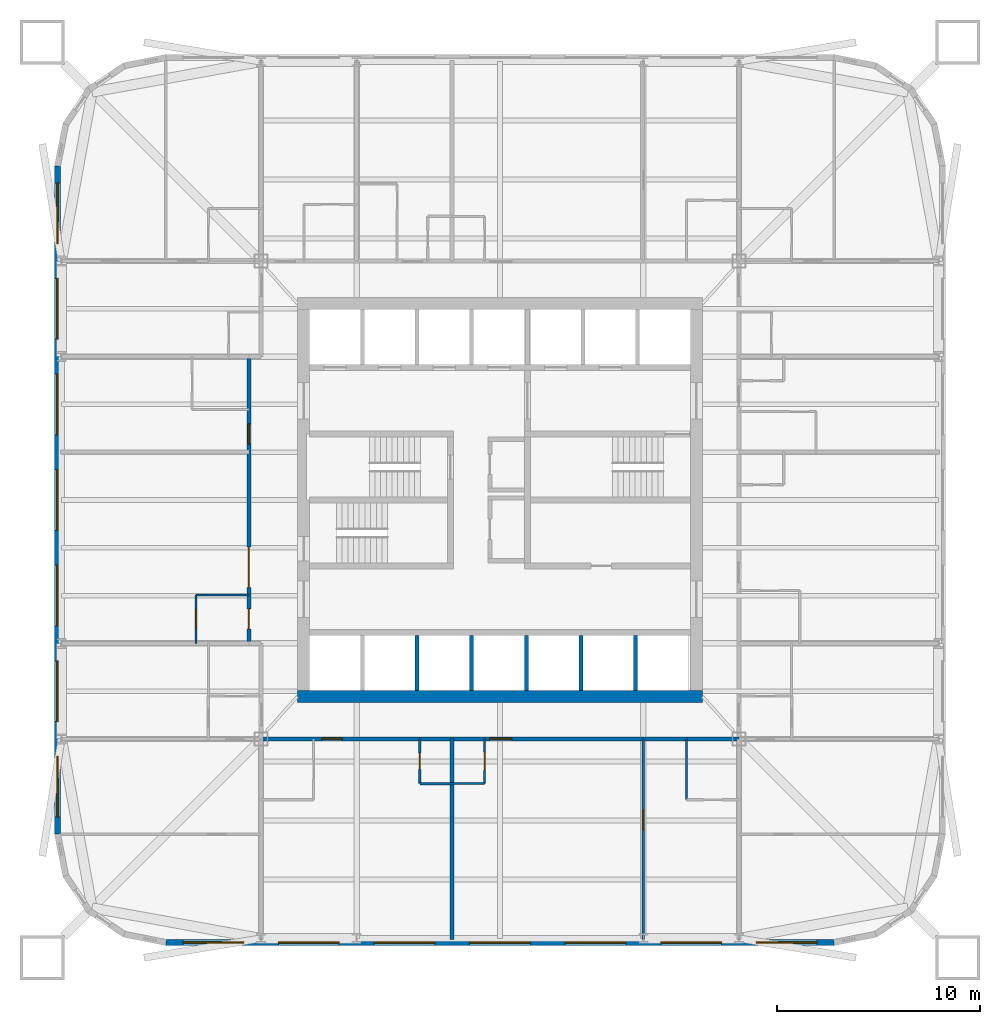
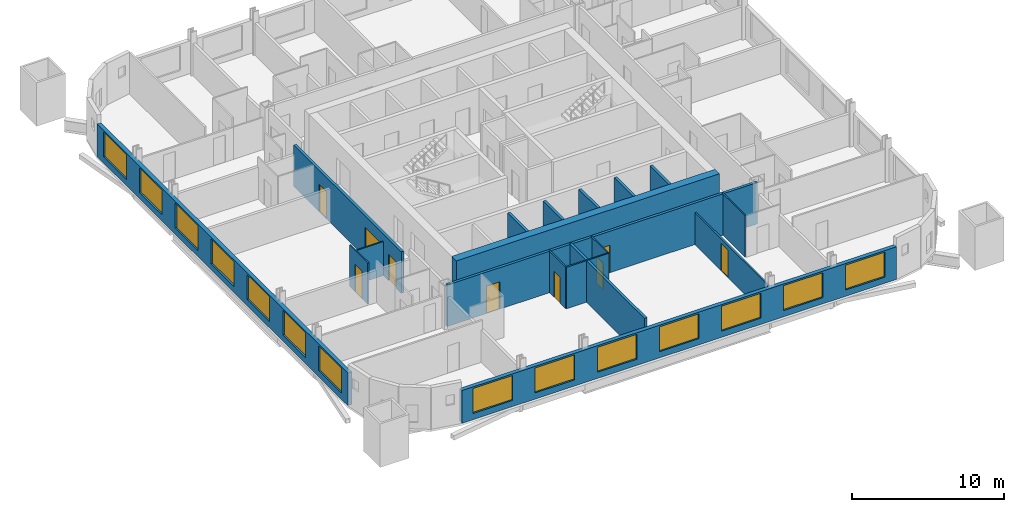
# One storey, part 3 of 9: 19 walls, 14 windows, 9 doors, 23 openings.
"""IFC4 building model written with IfcOpenShell, lengths in metres."""

from ifc_helpers import new_model, si_unit, direction, frame, frame_2d, origin, place, context, subcontext, project, spatial, rectangle, extrude, material, layer, layer_set, type_object, element, fill, save


model = new_model("IFC4")

# Units and contexts
model_context = context("Model", 3, precision=1e-05, world=origin(), true_north=direction((0.0, 1.0)))
body_context = subcontext(model_context, "Body", "Model", "MODEL_VIEW")
ifc_project = project(units=[si_unit("LENGTHUNIT", "METRE"), si_unit("AREAUNIT", "SQUARE_METRE"), si_unit("VOLUMEUNIT", "CUBIC_METRE"), si_unit("PLANEANGLEUNIT", "RADIAN"), si_unit("MASSUNIT", "GRAM", prefix="KILO")], contexts=[model_context])

# Site, building, storey
site_placement = place(None, origin())
site = spatial("IfcSite", under=ifc_project, at=site_placement, CompositionType="ELEMENT")
building_placement = place(site_placement, origin())
building = spatial("IfcBuilding", under=site, at=building_placement, Name="Turquesa Mirador Hotel Tower", CompositionType="ELEMENT")
storey_placement = place(building_placement, frame((0.0, 0.0, 81.0)))
storey = spatial("IfcBuildingStorey", under=building, at=storey_placement, Name="L21", CompositionType="ELEMENT", Elevation=81.0)

# Walls
ifc_material_1 = material(Name="Gypsum board on steel studs", Category="steel")
ifc_layer_1 = layer(ifc_material_1, 0.10009765625)
ifc_layer_set_1 = layer_set([ifc_layer_1], Name="BATHROOM WALL 100")
wall_type_1 = type_object("IfcWallType", Name="BATHROOM WALL 100", PredefinedType="PARTITIONING", material=ifc_layer_set_1)
wall_1_placement = place(storey_placement, frame((52.639892578125, 31.0, 0.0), z_axis=(0.0, 0.0, 1.0), x_axis=(1.0, 0.0, 0.0)))
element("IfcWall", 1, at=wall_1_placement, inside=storey, type_object=wall_type_1, Name="Partition L21 004", PredefinedType="PARTITIONING", context=body_context, shape_type="SweptSolid", body=[
    extrude(rectangle(XDim=1.60009765625, YDim=0.10009765625, at=frame_2d((0.800048828125, 0.0))), origin(), (0.0, 0.0, 1.0), 3.330078125),
])
wall_2_placement = place(storey_placement, frame((40.0, 40.320068359375, 0.0), z_axis=(0.0, 0.0, 1.0), x_axis=(1.0, 0.0, 0.0)))
element("IfcWall", 2, at=wall_2_placement, inside=storey, type_object=wall_type_1, Name="Partition L21 011", PredefinedType="PARTITIONING", context=body_context, shape_type="SweptSolid", body=[
    extrude(rectangle(XDim=2.60009765625, YDim=0.10009765625, at=frame_2d((1.300048828125, 0.0))), origin(), (0.0, 0.0, 1.0), 2.722900390625),
])

# Wall, opening, door
wall_3_placement = place(storey_placement, frame((54.239990234375, 31.0, 0.0), z_axis=(0.0, 0.0, 1.0), x_axis=(0.0, 1.0, 0.0)))
wall_3 = element("IfcWall", 3, at=wall_3_placement, inside=storey, type_object=wall_type_1, Name="Partition L21 040", PredefinedType="PARTITIONING", context=body_context, shape_type="SweptSolid", body=[
    extrude(rectangle(XDim=2.199951171875, YDim=0.10009765625, at=frame_2d((1.10009765625, 0.0))), origin(), (0.0, 0.0, 1.0), 3.330078125),
])
opening_1_placement = place(wall_3_placement, frame((0.64990234375, 0.0, 0.0)))
opening_1 = element("IfcOpeningElement", 4, at=opening_1_placement, cuts=wall_3, Name="Opening D06", PredefinedType="OPENING", context=body_context, shape_type="SweptSolid", body=[
    extrude(rectangle(XDim=0.89990234375, YDim=2.10009765625, at=frame_2d((0.449951171875, 1.050048828125))), frame((0.0, 0.06005859375, 0.0), z_axis=(0.0, -1.0, 0.0), x_axis=(1.0, 0.0, 0.0)), (0.0, 0.0, 1.0), 0.1201171875),
])
ifc_material_2 = material(Name="Laminate door", Category="wood")
door_type_1 = type_object("IfcDoorType", Name="DOOR 900X2100 WC", OperationType="SINGLE_SWING_LEFT", PredefinedType="DOOR", material=ifc_material_2)
door_1_placement = place(opening_1_placement, origin())
door_1 = element("IfcDoor", 5, at=door_1_placement, inside=storey, type_object=door_type_1, Name="Door 2105W", OperationType="SINGLE_SWING_LEFT", OverallHeight=2.10009765625, OverallWidth=0.89990234375, PredefinedType="DOOR", context=body_context, shape_type="SweptSolid", body=[
    extrude(rectangle(XDim=0.89990234375, YDim=2.10009765625, at=frame_2d((0.449951171875, 1.050048828125))), frame((0.0, 0.02490234375, 0.0), z_axis=(0.0, -1.0, 0.0), x_axis=(1.0, 0.0, 0.0)), (0.0, 0.0, 1.0), 0.050048828125),
])
fill(opening_1, door_1)

wall_4_placement = place(storey_placement, frame((40.0, 37.919921875, 0.0), z_axis=(0.0, 0.0, 1.0), x_axis=(0.0, 1.0, 0.0)))
wall_4 = element("IfcWall", 6, at=wall_4_placement, inside=storey, type_object=wall_type_1, Name="Partition L21 051", PredefinedType="PARTITIONING", context=body_context, shape_type="SweptSolid", body=[
    extrude(rectangle(XDim=2.400146484375, YDim=0.10009765625, at=frame_2d((1.2001953125, 0.0))), origin(), (0.0, 0.0, 1.0), 3.330078125),
])
opening_2_placement = place(wall_4_placement, frame((0.75, 0.0, 0.0)))
opening_2 = element("IfcOpeningElement", 7, at=opening_2_placement, cuts=wall_4, Name="Opening D17", PredefinedType="OPENING", context=body_context, shape_type="SweptSolid", body=[
    extrude(rectangle(XDim=0.89990234375, YDim=2.199951171875, at=frame_2d((0.449951171875, 1.10009765625))), frame((0.0, 0.06005859375, 0.0), z_axis=(0.0, -1.0, 0.0), x_axis=(1.0, 0.0, 0.0)), (0.0, 0.0, 1.0), 0.1201171875),
])
ifc_material_3 = material(Name="Timber veneered door", Category="wood")
door_type_2 = type_object("IfcDoorType", Name="DOOR 900X2200 SUITE INTERNAL", OperationType="SINGLE_SWING_LEFT", PredefinedType="DOOR", material=ifc_material_3)
door_2_placement = place(opening_2_placement, origin())
door_2 = element("IfcDoor", 8, at=door_2_placement, inside=storey, type_object=door_type_2, Name="Door L21-LGP", OperationType="SINGLE_SWING_LEFT", OverallHeight=2.199951171875, OverallWidth=0.89990234375, PredefinedType="DOOR", context=body_context, shape_type="SweptSolid", body=[
    extrude(rectangle(XDim=0.89990234375, YDim=2.199951171875, at=frame_2d((0.449951171875, 1.10009765625))), frame((0.0, 0.02490234375, 0.0), z_axis=(0.0, -1.0, 0.0), x_axis=(1.0, 0.0, 0.0)), (0.0, 0.0, 1.0), 0.050048828125),
])
fill(opening_2, door_2)

# Walls
wall_5_placement = place(storey_placement, frame((64.199951171875, 30.199951171875, 0.0), z_axis=(0.0, 0.0, 1.0), x_axis=(0.0, 1.0, 0.0)))
element("IfcWall", 9, at=wall_5_placement, inside=storey, type_object=wall_type_1, Name="Partition L21 076", PredefinedType="PARTITIONING", context=body_context, shape_type="SweptSolid", body=[
    extrude(rectangle(XDim=3.0, YDim=0.10009765625, at=frame_2d((1.5, 0.0))), origin(), (0.0, 0.0, 1.0), 3.330078125),
])
ifc_material_4 = material(Name="Concrete C50/60", Category="concrete")
ifc_layer_2 = layer(ifc_material_4, 0.60009765625)
ifc_layer_set_2 = layer_set([ifc_layer_2], Name="CORE WALL 600")
wall_type_2 = type_object("IfcWallType", Name="CORE WALL 600", PredefinedType="SHEAR", material=ifc_layer_set_2)
wall_6_placement = place(storey_placement, frame((45.0, 35.300048828125, 0.0), z_axis=(0.0, 0.0, 1.0), x_axis=(1.0, 0.0, 0.0)))
element("IfcWall", 10, at=wall_6_placement, inside=storey, type_object=wall_type_2, Name="Core wall S", PredefinedType="SHEAR", context=body_context, shape_type="SweptSolid", body=[
    extrude(rectangle(XDim=20.0, YDim=0.60009765625, at=frame_2d((10.0, 0.0))), origin(), (0.0, 0.0, 1.0), 3.5),
])

# Wall, openings, doors
ifc_material_5 = material(Name="Fire-rated gypsum board on steel studs", Category="steel")
ifc_layer_3 = layer(ifc_material_5, 0.199951171875)
ifc_layer_set_3 = layer_set([ifc_layer_3], Name="CORRIDOR WALL 200")
wall_type_3 = type_object("IfcWallType", Name="CORRIDOR WALL 200", PredefinedType="PARTITIONING", material=ifc_layer_set_3)
wall_7_placement = place(storey_placement, frame((43.199951171875, 33.199951171875, 0.0), z_axis=(0.0, 0.0, 1.0), x_axis=(1.0, 0.0, 0.0)))
wall_7 = element("IfcWall", 11, at=wall_7_placement, inside=storey, type_object=wall_type_3, Name="Partition L21 001", PredefinedType="PARTITIONING", context=body_context, shape_type="SweptSolid", body=[
    extrude(rectangle(XDim=23.60009765625, YDim=0.199951171875, at=frame_2d((11.800048828125, 0.0))), origin(), (0.0, 0.0, 1.0), 3.330078125),
])
opening_3_placement = place(wall_7_placement, frame((3.0, 0.0, 0.0)))
opening_3 = element("IfcOpeningElement", 12, at=opening_3_placement, cuts=wall_7, Name="Opening D01", PredefinedType="OPENING", context=body_context, shape_type="SweptSolid", body=[
    extrude(rectangle(XDim=1.0, YDim=2.199951171875, at=frame_2d((0.5, 1.10009765625))), frame((0.0, 0.10986328125, 0.0), z_axis=(0.0, -1.0, 0.0), x_axis=(1.0, 0.0, 0.0)), (0.0, 0.0, 1.0), 0.219970703125),
])
opening_4_placement = place(wall_7_placement, frame((11.2900390625, 0.0, 0.0)))
opening_4 = element("IfcOpeningElement", 13, at=opening_4_placement, cuts=wall_7, Name="Opening D15", PredefinedType="OPENING", context=body_context, shape_type="SweptSolid", body=[
    extrude(rectangle(XDim=1.10009765625, YDim=2.199951171875, at=frame_2d((0.550048828125, 1.10009765625))), frame((0.0, 0.10986328125, 0.0), z_axis=(0.0, -1.0, 0.0), x_axis=(1.0, 0.0, 0.0)), (0.0, 0.0, 1.0), 0.219970703125),
])
ifc_material_6 = material(Name="Timber veneered fire door", Category="wood")
door_type_3 = type_object("IfcDoorType", Name="DOOR 1000X2200 GUEST ENTRY", OperationType="SINGLE_SWING_LEFT", PredefinedType="DOOR", material=ifc_material_6)
door_3_placement = place(opening_3_placement, origin())
door_3 = element("IfcDoor", 14, at=door_3_placement, inside=storey, type_object=door_type_3, Name="Door 2104", OperationType="SINGLE_SWING_LEFT", OverallHeight=2.199951171875, OverallWidth=1.0, PredefinedType="DOOR", context=body_context, shape_type="SweptSolid", body=[
    extrude(rectangle(XDim=1.0, YDim=2.199951171875, at=frame_2d((0.5, 1.10009765625))), frame((0.0, 0.02490234375, 0.0), z_axis=(0.0, -1.0, 0.0), x_axis=(1.0, 0.0, 0.0)), (0.0, 0.0, 1.0), 0.050048828125),
])
fill(opening_3, door_3)
ifc_material_7 = material(Name="Timber veneered fire door", Category="wood")
door_type_4 = type_object("IfcDoorType", Name="DOOR 1100X2200 SUITE ENTRY", OperationType="SINGLE_SWING_LEFT", PredefinedType="DOOR", material=ifc_material_7)
door_4_placement = place(opening_4_placement, origin())
door_4 = element("IfcDoor", 15, at=door_4_placement, inside=storey, type_object=door_type_4, Name="Door 2105", OperationType="SINGLE_SWING_LEFT", OverallHeight=2.199951171875, OverallWidth=1.10009765625, PredefinedType="DOOR", context=body_context, shape_type="SweptSolid", body=[
    extrude(rectangle(XDim=1.10009765625, YDim=2.199951171875, at=frame_2d((0.550048828125, 1.10009765625))), frame((0.0, 0.02490234375, 0.0), z_axis=(0.0, -1.0, 0.0), x_axis=(1.0, 0.0, 0.0)), (0.0, 0.0, 1.0), 0.050048828125),
])
fill(opening_4, door_4)

wall_8_placement = place(storey_placement, frame((42.60009765625, 37.919921875, 0.0), z_axis=(0.0, 0.0, 1.0), x_axis=(0.0, 1.0, 0.0)))
wall_8 = element("IfcWall", 16, at=wall_8_placement, inside=storey, type_object=wall_type_3, Name="Partition L21 046", PredefinedType="PARTITIONING", context=body_context, shape_type="SweptSolid", body=[
    extrude(rectangle(XDim=14.16015625, YDim=0.199951171875, at=frame_2d((7.080078125, 0.0))), origin(), (0.0, 0.0, 1.0), 3.330078125),
])
opening_5_placement = place(wall_8_placement, frame((9.840087890625, 0.0, 0.0)))
opening_5 = element("IfcOpeningElement", 17, at=opening_5_placement, cuts=wall_8, Name="Opening D01", PredefinedType="OPENING", context=body_context, shape_type="SweptSolid", body=[
    extrude(rectangle(XDim=1.0, YDim=2.199951171875, at=frame_2d((0.5, 1.10009765625))), frame((0.0, 0.10986328125, 0.0), z_axis=(0.0, -1.0, 0.0), x_axis=(1.0, 0.0, 0.0)), (0.0, 0.0, 1.0), 0.219970703125),
])
opening_6_placement = place(wall_8_placement, frame((2.75, 0.0, 0.0)))
opening_6 = element("IfcOpeningElement", 18, at=opening_6_placement, cuts=wall_8, Name="Opening D18", PredefinedType="OPENING", context=body_context, shape_type="SweptSolid", body=[
    extrude(rectangle(XDim=2.0, YDim=2.39990234375, at=frame_2d((1.0, 1.199951171875))), frame((0.0, 0.10986328125, 0.0), z_axis=(0.0, -1.0, 0.0), x_axis=(1.0, 0.0, 0.0)), (0.0, 0.0, 1.0), 0.219970703125),
])
opening_7_placement = place(wall_8_placement, frame((0.699951171875, 0.0, 0.0)))
opening_7 = element("IfcOpeningElement", 19, at=opening_7_placement, cuts=wall_8, Name="Opening D05", PredefinedType="OPENING", context=body_context, shape_type="SweptSolid", body=[
    extrude(rectangle(XDim=1.0, YDim=2.10009765625, at=frame_2d((0.5, 1.050048828125))), frame((0.0, 0.10986328125, 0.0), z_axis=(0.0, -1.0, 0.0), x_axis=(1.0, 0.0, 0.0)), (0.0, 0.0, 1.0), 0.219970703125),
])
ifc_material_8 = material(Name="Steel fire door", Category="steel")
door_type_5 = type_object("IfcDoorType", Name="DOOR 1000X2100 SERVICE", OperationType="SINGLE_SWING_LEFT", PredefinedType="DOOR", material=ifc_material_8)
door_5_placement = place(opening_7_placement, origin())
door_5 = element("IfcDoor", 20, at=door_5_placement, inside=storey, type_object=door_type_5, Name="Door L21-LGP-1", OperationType="SINGLE_SWING_LEFT", OverallHeight=2.10009765625, OverallWidth=1.0, PredefinedType="DOOR", context=body_context, shape_type="SweptSolid", body=[
    extrude(rectangle(XDim=1.0, YDim=2.10009765625, at=frame_2d((0.5, 1.050048828125))), frame((0.0, 0.02490234375, 0.0), z_axis=(0.0, -1.0, 0.0), x_axis=(1.0, 0.0, 0.0)), (0.0, 0.0, 1.0), 0.050048828125),
])
fill(opening_7, door_5)
door_6_placement = place(opening_5_placement, origin())
door_6 = element("IfcDoor", 21, at=door_6_placement, inside=storey, type_object=door_type_3, Name="Door 2108", OperationType="SINGLE_SWING_LEFT", OverallHeight=2.199951171875, OverallWidth=1.0, PredefinedType="DOOR", context=body_context, shape_type="SweptSolid", body=[
    extrude(rectangle(XDim=1.0, YDim=2.199951171875, at=frame_2d((0.5, 1.10009765625))), frame((0.0, 0.02490234375, 0.0), z_axis=(0.0, -1.0, 0.0), x_axis=(1.0, 0.0, 0.0)), (0.0, 0.0, 1.0), 0.050048828125),
])
fill(opening_5, door_6)
ifc_material_9 = material(Name="Timber veneered fire door pair", Category="wood")
door_type_6 = type_object("IfcDoorType", Name="DOOR 2000X2400 LOUNGE PAIR", OperationType="DOUBLE_DOOR_SINGLE_SWING", PredefinedType="DOOR", material=ifc_material_9)
door_7_placement = place(opening_6_placement, origin())
door_7 = element("IfcDoor", 22, at=door_7_placement, inside=storey, type_object=door_type_6, Name="Door L21-LG", OperationType="DOUBLE_DOOR_SINGLE_SWING", OverallHeight=2.39990234375, OverallWidth=2.0, PredefinedType="DOOR", context=body_context, shape_type="SweptSolid", body=[
    extrude(rectangle(XDim=2.0, YDim=2.39990234375, at=frame_2d((1.0, 1.199951171875))), frame((0.0, 0.02490234375, 0.0), z_axis=(0.0, -1.0, 0.0), x_axis=(1.0, 0.0, 0.0)), (0.0, 0.0, 1.0), 0.050048828125),
])
fill(opening_6, door_7)

# Wall, openings, windows
ifc_material_10 = material(Name="Limestone cladding on concrete block", Category="masonry")
ifc_layer_4 = layer(ifc_material_10, 0.300048828125)
ifc_layer_set_4 = layer_set([ifc_layer_4], Name="FACADE WALL 300 STONE SCREEN")
wall_type_4 = type_object("IfcWallType", Name="FACADE WALL 300 STONE SCREEN", PredefinedType="SOLIDWALL", material=ifc_layer_set_4)
wall_9_placement = place(storey_placement, frame((33.14990234375, 61.5, 0.0), z_axis=(0.0, 0.0, 1.0), x_axis=(0.0, -1.0, 0.0)))
wall_9 = element("IfcWall", 23, at=wall_9_placement, inside=storey, type_object=wall_type_4, Name="Facade wall L21 14", PredefinedType="SOLIDWALL", context=body_context, shape_type="SweptSolid", body=[
    extrude(rectangle(XDim=33.0, YDim=0.300048828125, at=frame_2d((16.5, 0.0))), origin(), (0.0, 0.0, 1.0), 2.6298828125),
])
opening_8_placement = place(wall_9_placement, frame((0.85009765625, 0.0, 0.5)))
opening_8 = element("IfcOpeningElement", 24, at=opening_8_placement, cuts=wall_9, Name="Opening WN1", PredefinedType="OPENING", context=body_context, shape_type="SweptSolid", body=[
    extrude(rectangle(XDim=3.0, YDim=2.0, at=frame_2d((1.5, 1.0))), frame((0.0, 0.159912109375, 0.0), z_axis=(0.0, -1.0, 0.0), x_axis=(1.0, 0.0, 0.0)), (0.0, 0.0, 1.0), 0.320068359375),
])
opening_9_placement = place(wall_9_placement, frame((5.56005859375, 0.0, 0.5)))
opening_9 = element("IfcOpeningElement", 25, at=opening_9_placement, cuts=wall_9, Name="Opening WN1", PredefinedType="OPENING", context=body_context, shape_type="SweptSolid", body=[
    extrude(rectangle(XDim=3.0, YDim=2.0, at=frame_2d((1.5, 1.0))), frame((0.0, 0.159912109375, 0.0), z_axis=(0.0, -1.0, 0.0), x_axis=(1.0, 0.0, 0.0)), (0.0, 0.0, 1.0), 0.320068359375),
])
opening_10_placement = place(wall_9_placement, frame((10.280029296875, 0.0, 0.5)))
opening_10 = element("IfcOpeningElement", 26, at=opening_10_placement, cuts=wall_9, Name="Opening WN1", PredefinedType="OPENING", context=body_context, shape_type="SweptSolid", body=[
    extrude(rectangle(XDim=3.0, YDim=2.0, at=frame_2d((1.5, 1.0))), frame((0.0, 0.159912109375, 0.0), z_axis=(0.0, -1.0, 0.0), x_axis=(1.0, 0.0, 0.0)), (0.0, 0.0, 1.0), 0.320068359375),
])
opening_11_placement = place(wall_9_placement, frame((15.0, 0.0, 0.5)))
opening_11 = element("IfcOpeningElement", 27, at=opening_11_placement, cuts=wall_9, Name="Opening WN1", PredefinedType="OPENING", context=body_context, shape_type="SweptSolid", body=[
    extrude(rectangle(XDim=3.0, YDim=2.0, at=frame_2d((1.5, 1.0))), frame((0.0, 0.159912109375, 0.0), z_axis=(0.0, -1.0, 0.0), x_axis=(1.0, 0.0, 0.0)), (0.0, 0.0, 1.0), 0.320068359375),
])
opening_12_placement = place(wall_9_placement, frame((19.719970703125, 0.0, 0.5)))
opening_12 = element("IfcOpeningElement", 28, at=opening_12_placement, cuts=wall_9, Name="Opening WN1", PredefinedType="OPENING", context=body_context, shape_type="SweptSolid", body=[
    extrude(rectangle(XDim=3.0, YDim=2.0, at=frame_2d((1.5, 1.0))), frame((0.0, 0.159912109375, 0.0), z_axis=(0.0, -1.0, 0.0), x_axis=(1.0, 0.0, 0.0)), (0.0, 0.0, 1.0), 0.320068359375),
])
opening_13_placement = place(wall_9_placement, frame((24.43994140625, 0.0, 0.5)))
opening_13 = element("IfcOpeningElement", 29, at=opening_13_placement, cuts=wall_9, Name="Opening WN1", PredefinedType="OPENING", context=body_context, shape_type="SweptSolid", body=[
    extrude(rectangle(XDim=3.0, YDim=2.0, at=frame_2d((1.5, 1.0))), frame((0.0, 0.159912109375, 0.0), z_axis=(0.0, -1.0, 0.0), x_axis=(1.0, 0.0, 0.0)), (0.0, 0.0, 1.0), 0.320068359375),
])
opening_14_placement = place(wall_9_placement, frame((29.14990234375, 0.0, 0.5)))
opening_14 = element("IfcOpeningElement", 30, at=opening_14_placement, cuts=wall_9, Name="Opening WN1", PredefinedType="OPENING", context=body_context, shape_type="SweptSolid", body=[
    extrude(rectangle(XDim=3.0, YDim=2.0, at=frame_2d((1.5, 1.0))), frame((0.0, 0.159912109375, 0.0), z_axis=(0.0, -1.0, 0.0), x_axis=(1.0, 0.0, 0.0)), (0.0, 0.0, 1.0), 0.320068359375),
])
ifc_material_11 = material(Name="Ceramic-fritted laminated glass", Category="glass")
window_type = type_object("IfcWindowType", Name="FRITTED WINDOW 3000X2000", PartitioningType="DOUBLE_PANEL_HORIZONTAL", PredefinedType="WINDOW", material=ifc_material_11)
window_1_placement = place(opening_8_placement, origin())
window_1 = element("IfcWindow", 31, at=window_1_placement, inside=storey, type_object=window_type, Name="Window L21", OverallHeight=2.0, OverallWidth=3.0, PartitioningType="SINGLE_PANEL", PredefinedType="WINDOW", context=body_context, shape_type="SweptSolid", body=[
    extrude(rectangle(XDim=3.0, YDim=2.0, at=frame_2d((1.5, 1.0))), frame((0.0, 0.030029296875, 0.0), z_axis=(0.0, -1.0, 0.0), x_axis=(1.0, 0.0, 0.0)), (0.0, 0.0, 1.0), 0.06005859375),
])
fill(opening_8, window_1)
window_2_placement = place(opening_9_placement, origin())
window_2 = element("IfcWindow", 32, at=window_2_placement, inside=storey, type_object=window_type, Name="Window L21", OverallHeight=2.0, OverallWidth=3.0, PartitioningType="SINGLE_PANEL", PredefinedType="WINDOW", context=body_context, shape_type="SweptSolid", body=[
    extrude(rectangle(XDim=3.0, YDim=2.0, at=frame_2d((1.5, 1.0))), frame((0.0, 0.030029296875, 0.0), z_axis=(0.0, -1.0, 0.0), x_axis=(1.0, 0.0, 0.0)), (0.0, 0.0, 1.0), 0.06005859375),
])
fill(opening_9, window_2)
window_3_placement = place(opening_10_placement, origin())
window_3 = element("IfcWindow", 33, at=window_3_placement, inside=storey, type_object=window_type, Name="Window L21", OverallHeight=2.0, OverallWidth=3.0, PartitioningType="SINGLE_PANEL", PredefinedType="WINDOW", context=body_context, shape_type="SweptSolid", body=[
    extrude(rectangle(XDim=3.0, YDim=2.0, at=frame_2d((1.5, 1.0))), frame((0.0, 0.030029296875, 0.0), z_axis=(0.0, -1.0, 0.0), x_axis=(1.0, 0.0, 0.0)), (0.0, 0.0, 1.0), 0.06005859375),
])
fill(opening_10, window_3)
window_4_placement = place(opening_11_placement, origin())
window_4 = element("IfcWindow", 34, at=window_4_placement, inside=storey, type_object=window_type, Name="Window L21", OverallHeight=2.0, OverallWidth=3.0, PartitioningType="SINGLE_PANEL", PredefinedType="WINDOW", context=body_context, shape_type="SweptSolid", body=[
    extrude(rectangle(XDim=3.0, YDim=2.0, at=frame_2d((1.5, 1.0))), frame((0.0, 0.030029296875, 0.0), z_axis=(0.0, -1.0, 0.0), x_axis=(1.0, 0.0, 0.0)), (0.0, 0.0, 1.0), 0.06005859375),
])
fill(opening_11, window_4)
window_5_placement = place(opening_12_placement, origin())
window_5 = element("IfcWindow", 35, at=window_5_placement, inside=storey, type_object=window_type, Name="Window L21", OverallHeight=2.0, OverallWidth=3.0, PartitioningType="SINGLE_PANEL", PredefinedType="WINDOW", context=body_context, shape_type="SweptSolid", body=[
    extrude(rectangle(XDim=3.0, YDim=2.0, at=frame_2d((1.5, 1.0))), frame((0.0, 0.030029296875, 0.0), z_axis=(0.0, -1.0, 0.0), x_axis=(1.0, 0.0, 0.0)), (0.0, 0.0, 1.0), 0.06005859375),
])
fill(opening_12, window_5)
window_6_placement = place(opening_13_placement, origin())
window_6 = element("IfcWindow", 36, at=window_6_placement, inside=storey, type_object=window_type, Name="Window L21", OverallHeight=2.0, OverallWidth=3.0, PartitioningType="SINGLE_PANEL", PredefinedType="WINDOW", context=body_context, shape_type="SweptSolid", body=[
    extrude(rectangle(XDim=3.0, YDim=2.0, at=frame_2d((1.5, 1.0))), frame((0.0, 0.030029296875, 0.0), z_axis=(0.0, -1.0, 0.0), x_axis=(1.0, 0.0, 0.0)), (0.0, 0.0, 1.0), 0.06005859375),
])
fill(opening_13, window_6)
window_7_placement = place(opening_14_placement, origin())
window_7 = element("IfcWindow", 37, at=window_7_placement, inside=storey, type_object=window_type, Name="Window L21", OverallHeight=2.0, OverallWidth=3.0, PartitioningType="SINGLE_PANEL", PredefinedType="WINDOW", context=body_context, shape_type="SweptSolid", body=[
    extrude(rectangle(XDim=3.0, YDim=2.0, at=frame_2d((1.5, 1.0))), frame((0.0, 0.030029296875, 0.0), z_axis=(0.0, -1.0, 0.0), x_axis=(1.0, 0.0, 0.0)), (0.0, 0.0, 1.0), 0.06005859375),
])
fill(opening_14, window_7)

wall_10_placement = place(storey_placement, frame((38.5, 23.14990234375, 0.0), z_axis=(0.0, 0.0, 1.0), x_axis=(1.0, 0.0, 0.0)))
wall_10 = element("IfcWall", 38, at=wall_10_placement, inside=storey, type_object=wall_type_4, Name="Facade wall L21 19", PredefinedType="SOLIDWALL", context=body_context, shape_type="SweptSolid", body=[
    extrude(rectangle(XDim=33.0, YDim=0.300048828125, at=frame_2d((16.5, 0.0))), origin(), (0.0, 0.0, 1.0), 2.6298828125),
])
opening_15_placement = place(wall_10_placement, frame((0.85009765625, 0.0, 0.5)))
opening_15 = element("IfcOpeningElement", 39, at=opening_15_placement, cuts=wall_10, Name="Opening WN1", PredefinedType="OPENING", context=body_context, shape_type="SweptSolid", body=[
    extrude(rectangle(XDim=3.0, YDim=2.0, at=frame_2d((1.5, 1.0))), frame((0.0, 0.159912109375, 0.0), z_axis=(0.0, -1.0, 0.0), x_axis=(1.0, 0.0, 0.0)), (0.0, 0.0, 1.0), 0.320068359375),
])
opening_16_placement = place(wall_10_placement, frame((5.56005859375, 0.0, 0.5)))
opening_16 = element("IfcOpeningElement", 40, at=opening_16_placement, cuts=wall_10, Name="Opening WN1", PredefinedType="OPENING", context=body_context, shape_type="SweptSolid", body=[
    extrude(rectangle(XDim=3.0, YDim=2.0, at=frame_2d((1.5, 1.0))), frame((0.0, 0.159912109375, 0.0), z_axis=(0.0, -1.0, 0.0), x_axis=(1.0, 0.0, 0.0)), (0.0, 0.0, 1.0), 0.320068359375),
])
opening_17_placement = place(wall_10_placement, frame((10.280029296875, 0.0, 0.5)))
opening_17 = element("IfcOpeningElement", 41, at=opening_17_placement, cuts=wall_10, Name="Opening WN1", PredefinedType="OPENING", context=body_context, shape_type="SweptSolid", body=[
    extrude(rectangle(XDim=3.0, YDim=2.0, at=frame_2d((1.5, 1.0))), frame((0.0, 0.159912109375, 0.0), z_axis=(0.0, -1.0, 0.0), x_axis=(1.0, 0.0, 0.0)), (0.0, 0.0, 1.0), 0.320068359375),
])
opening_18_placement = place(wall_10_placement, frame((15.0, 0.0, 0.5)))
opening_18 = element("IfcOpeningElement", 42, at=opening_18_placement, cuts=wall_10, Name="Opening WN1", PredefinedType="OPENING", context=body_context, shape_type="SweptSolid", body=[
    extrude(rectangle(XDim=3.0, YDim=2.0, at=frame_2d((1.5, 1.0))), frame((0.0, 0.159912109375, 0.0), z_axis=(0.0, -1.0, 0.0), x_axis=(1.0, 0.0, 0.0)), (0.0, 0.0, 1.0), 0.320068359375),
])
opening_19_placement = place(wall_10_placement, frame((19.719970703125, 0.0, 0.5)))
opening_19 = element("IfcOpeningElement", 43, at=opening_19_placement, cuts=wall_10, Name="Opening WN1", PredefinedType="OPENING", context=body_context, shape_type="SweptSolid", body=[
    extrude(rectangle(XDim=3.0, YDim=2.0, at=frame_2d((1.5, 1.0))), frame((0.0, 0.159912109375, 0.0), z_axis=(0.0, -1.0, 0.0), x_axis=(1.0, 0.0, 0.0)), (0.0, 0.0, 1.0), 0.320068359375),
])
opening_20_placement = place(wall_10_placement, frame((24.43994140625, 0.0, 0.5)))
opening_20 = element("IfcOpeningElement", 44, at=opening_20_placement, cuts=wall_10, Name="Opening WN1", PredefinedType="OPENING", context=body_context, shape_type="SweptSolid", body=[
    extrude(rectangle(XDim=3.0, YDim=2.0, at=frame_2d((1.5, 1.0))), frame((0.0, 0.159912109375, 0.0), z_axis=(0.0, -1.0, 0.0), x_axis=(1.0, 0.0, 0.0)), (0.0, 0.0, 1.0), 0.320068359375),
])
opening_21_placement = place(wall_10_placement, frame((29.14990234375, 0.0, 0.5)))
opening_21 = element("IfcOpeningElement", 45, at=opening_21_placement, cuts=wall_10, Name="Opening WN1", PredefinedType="OPENING", context=body_context, shape_type="SweptSolid", body=[
    extrude(rectangle(XDim=3.0, YDim=2.0, at=frame_2d((1.5, 1.0))), frame((0.0, 0.159912109375, 0.0), z_axis=(0.0, -1.0, 0.0), x_axis=(1.0, 0.0, 0.0)), (0.0, 0.0, 1.0), 0.320068359375),
])
window_8_placement = place(opening_15_placement, origin())
window_8 = element("IfcWindow", 46, at=window_8_placement, inside=storey, type_object=window_type, Name="Window L21", OverallHeight=2.0, OverallWidth=3.0, PartitioningType="SINGLE_PANEL", PredefinedType="WINDOW", context=body_context, shape_type="SweptSolid", body=[
    extrude(rectangle(XDim=3.0, YDim=2.0, at=frame_2d((1.5, 1.0))), frame((0.0, 0.030029296875, 0.0), z_axis=(0.0, -1.0, 0.0), x_axis=(1.0, 0.0, 0.0)), (0.0, 0.0, 1.0), 0.06005859375),
])
fill(opening_15, window_8)
window_9_placement = place(opening_16_placement, origin())
window_9 = element("IfcWindow", 47, at=window_9_placement, inside=storey, type_object=window_type, Name="Window L21", OverallHeight=2.0, OverallWidth=3.0, PartitioningType="SINGLE_PANEL", PredefinedType="WINDOW", context=body_context, shape_type="SweptSolid", body=[
    extrude(rectangle(XDim=3.0, YDim=2.0, at=frame_2d((1.5, 1.0))), frame((0.0, 0.030029296875, 0.0), z_axis=(0.0, -1.0, 0.0), x_axis=(1.0, 0.0, 0.0)), (0.0, 0.0, 1.0), 0.06005859375),
])
fill(opening_16, window_9)
window_10_placement = place(opening_17_placement, origin())
window_10 = element("IfcWindow", 48, at=window_10_placement, inside=storey, type_object=window_type, Name="Window L21", OverallHeight=2.0, OverallWidth=3.0, PartitioningType="SINGLE_PANEL", PredefinedType="WINDOW", context=body_context, shape_type="SweptSolid", body=[
    extrude(rectangle(XDim=3.0, YDim=2.0, at=frame_2d((1.5, 1.0))), frame((0.0, 0.030029296875, 0.0), z_axis=(0.0, -1.0, 0.0), x_axis=(1.0, 0.0, 0.0)), (0.0, 0.0, 1.0), 0.06005859375),
])
fill(opening_17, window_10)
window_11_placement = place(opening_18_placement, origin())
window_11 = element("IfcWindow", 49, at=window_11_placement, inside=storey, type_object=window_type, Name="Window L21", OverallHeight=2.0, OverallWidth=3.0, PartitioningType="SINGLE_PANEL", PredefinedType="WINDOW", context=body_context, shape_type="SweptSolid", body=[
    extrude(rectangle(XDim=3.0, YDim=2.0, at=frame_2d((1.5, 1.0))), frame((0.0, 0.030029296875, 0.0), z_axis=(0.0, -1.0, 0.0), x_axis=(1.0, 0.0, 0.0)), (0.0, 0.0, 1.0), 0.06005859375),
])
fill(opening_18, window_11)
window_12_placement = place(opening_19_placement, origin())
window_12 = element("IfcWindow", 50, at=window_12_placement, inside=storey, type_object=window_type, Name="Window L21", OverallHeight=2.0, OverallWidth=3.0, PartitioningType="SINGLE_PANEL", PredefinedType="WINDOW", context=body_context, shape_type="SweptSolid", body=[
    extrude(rectangle(XDim=3.0, YDim=2.0, at=frame_2d((1.5, 1.0))), frame((0.0, 0.030029296875, 0.0), z_axis=(0.0, -1.0, 0.0), x_axis=(1.0, 0.0, 0.0)), (0.0, 0.0, 1.0), 0.06005859375),
])
fill(opening_19, window_12)
window_13_placement = place(opening_20_placement, origin())
window_13 = element("IfcWindow", 51, at=window_13_placement, inside=storey, type_object=window_type, Name="Window L21", OverallHeight=2.0, OverallWidth=3.0, PartitioningType="SINGLE_PANEL", PredefinedType="WINDOW", context=body_context, shape_type="SweptSolid", body=[
    extrude(rectangle(XDim=3.0, YDim=2.0, at=frame_2d((1.5, 1.0))), frame((0.0, 0.030029296875, 0.0), z_axis=(0.0, -1.0, 0.0), x_axis=(1.0, 0.0, 0.0)), (0.0, 0.0, 1.0), 0.06005859375),
])
fill(opening_20, window_13)
window_14_placement = place(opening_21_placement, origin())
window_14 = element("IfcWindow", 52, at=window_14_placement, inside=storey, type_object=window_type, Name="Window L21", OverallHeight=2.0, OverallWidth=3.0, PartitioningType="SINGLE_PANEL", PredefinedType="WINDOW", context=body_context, shape_type="SweptSolid", body=[
    extrude(rectangle(XDim=3.0, YDim=2.0, at=frame_2d((1.5, 1.0))), frame((0.0, 0.030029296875, 0.0), z_axis=(0.0, -1.0, 0.0), x_axis=(1.0, 0.0, 0.0)), (0.0, 0.0, 1.0), 0.06005859375),
])
fill(opening_21, window_14)

# Walls
ifc_material_12 = material(Name="Fire-rated gypsum shaft wall on steel studs", Category="steel")
ifc_layer_5 = layer(ifc_material_12, 0.199951171875)
ifc_layer_set_5 = layer_set([ifc_layer_5], Name="LIFT SHAFT DIVIDER 200")
wall_type_5 = type_object("IfcWallType", Name="LIFT SHAFT DIVIDER 200", PredefinedType="PARTITIONING", material=ifc_layer_set_5)
for number, where, z_axis, x_axis, name in (
    (53, (50.89990234375, 35.60009765625, 0.0), (0.0, 0.0, 1.0), (0.0, 1.0, 0.0), "Lift shaft divider"),
    (54, (53.60009765625, 35.60009765625, 0.0), (0.0, 0.0, 1.0), (0.0, 1.0, 0.0), "Lift shaft divider"),
    (55, (56.300048828125, 35.60009765625, 0.0), (0.0, 0.0, 1.0), (0.0, 1.0, 0.0), "Lift shaft divider"),
    (56, (59.0, 35.60009765625, 0.0), (0.0, 0.0, 1.0), (0.0, 1.0, 0.0), "Lift shaft divider"),
    (57, (61.699951171875, 35.60009765625, 0.0), (0.0, 0.0, 1.0), (0.0, 1.0, 0.0), "Lift shaft divider"),
):
    element("IfcWall", number, at=place(storey_placement, frame(where, z_axis=z_axis, x_axis=x_axis)), inside=storey, type_object=wall_type_5, Name=name, PredefinedType="PARTITIONING", context=body_context, shape_type="SweptSolid", body=[
        extrude(rectangle(XDim=2.699951171875, YDim=0.199951171875, at=frame_2d((1.35009765625, 0.0))), origin(), (0.0, 0.0, 1.0), 3.330078125),
    ])
ifc_material_13 = material(Name="Fire-rated gypsum board on steel studs", Category="steel")
ifc_layer_6 = layer(ifc_material_13, 0.199951171875)
ifc_layer_set_6 = layer_set([ifc_layer_6], Name="PARTY WALL 200")
wall_type_6 = type_object("IfcWallType", Name="PARTY WALL 200", PredefinedType="PARTITIONING", material=ifc_layer_set_6)
wall_11_placement = place(storey_placement, frame((52.639892578125, 23.300048828125, 0.0), z_axis=(0.0, 0.0, 1.0), x_axis=(0.0, 1.0, 0.0)))
element("IfcWall", 58, at=wall_11_placement, inside=storey, type_object=wall_type_6, Name="Partition L21 054", PredefinedType="PARTITIONING", context=body_context, shape_type="SweptSolid", body=[
    extrude(rectangle(XDim=9.89990234375, YDim=0.199951171875, at=frame_2d((4.949951171875, 0.0))), origin(), (0.0, 0.0, 1.0), 3.330078125),
])
ifc_material_14 = material(Name="Acoustic gypsum board on steel studs", Category="steel")
ifc_layer_7 = layer(ifc_material_14, 0.125)
ifc_layer_set_7 = layer_set([ifc_layer_7], Name="SUITE PARTITION 125")
wall_type_7 = type_object("IfcWallType", Name="SUITE PARTITION 125", PredefinedType="PARTITIONING", material=ifc_layer_set_7)
wall_12_placement = place(storey_placement, frame((51.0400390625, 31.0, 0.0), z_axis=(0.0, 0.0, 1.0), x_axis=(1.0, 0.0, 0.0)))
element("IfcWall", 59, at=wall_12_placement, inside=storey, type_object=wall_type_7, Name="Partition L21 005", PredefinedType="PARTITIONING", context=body_context, shape_type="SweptSolid", body=[
    extrude(rectangle(XDim=1.599853515625, YDim=0.125, at=frame_2d((0.7998046875, 0.0))), origin(), (0.0, 0.0, 1.0), 3.330078125),
])

# Wall, opening, door
wall_13_placement = place(storey_placement, frame((51.0400390625, 31.0, 0.0), z_axis=(0.0, 0.0, 1.0), x_axis=(0.0, 1.0, 0.0)))
wall_13 = element("IfcWall", 60, at=wall_13_placement, inside=storey, type_object=wall_type_7, Name="Partition L21 057", PredefinedType="PARTITIONING", context=body_context, shape_type="SweptSolid", body=[
    extrude(rectangle(XDim=2.199951171875, YDim=0.125, at=frame_2d((1.10009765625, 0.0))), origin(), (0.0, 0.0, 1.0), 3.330078125),
])
opening_22_placement = place(wall_13_placement, frame((0.699951171875, 0.0, 0.0)))
opening_22 = element("IfcOpeningElement", 61, at=opening_22_placement, cuts=wall_13, Name="Opening D20", PredefinedType="OPENING", context=body_context, shape_type="SweptSolid", body=[
    extrude(rectangle(XDim=0.800048828125, YDim=2.10009765625, at=frame_2d((0.39990234375, 1.050048828125))), frame((0.0, 0.072509765625, 0.0), z_axis=(0.0, -1.0, 0.0), x_axis=(1.0, 0.0, 0.0)), (0.0, 0.0, 1.0), 0.14501953125),
])
ifc_material_15 = material(Name="Timber veneered sliding door", Category="wood")
door_type_7 = type_object("IfcDoorType", Name="DOOR 800X2100 WARDROBE", OperationType="SLIDING_TO_LEFT", PredefinedType="DOOR", material=ifc_material_15)
door_8_placement = place(opening_22_placement, origin())
door_8 = element("IfcDoor", 62, at=door_8_placement, inside=storey, type_object=door_type_7, Name="Door 2104W", OperationType="SLIDING_TO_LEFT", OverallHeight=2.10009765625, OverallWidth=0.800048828125, PredefinedType="DOOR", context=body_context, shape_type="SweptSolid", body=[
    extrude(rectangle(XDim=0.800048828125, YDim=2.10009765625, at=frame_2d((0.39990234375, 1.050048828125))), frame((0.0, 0.02490234375, 0.0), z_axis=(0.0, -1.0, 0.0), x_axis=(1.0, 0.0, 0.0)), (0.0, 0.0, 1.0), 0.050048828125),
])
fill(opening_22, door_8)

wall_14_placement = place(storey_placement, frame((62.080078125, 23.300048828125, 0.0), z_axis=(0.0, 0.0, 1.0), x_axis=(0.0, 1.0, 0.0)))
wall_14 = element("IfcWall", 63, at=wall_14_placement, inside=storey, type_object=wall_type_7, Name="Partition L21 074", PredefinedType="PARTITIONING", context=body_context, shape_type="SweptSolid", body=[
    extrude(rectangle(XDim=9.89990234375, YDim=0.125, at=frame_2d((4.949951171875, 0.0))), origin(), (0.0, 0.0, 1.0), 2.572998046875),
])
opening_23_placement = place(wall_14_placement, frame((5.449951171875, 0.0, 0.0)))
opening_23 = element("IfcOpeningElement", 64, at=opening_23_placement, cuts=wall_14, Name="Opening D17", PredefinedType="OPENING", context=body_context, shape_type="SweptSolid", body=[
    extrude(rectangle(XDim=0.89990234375, YDim=2.199951171875, at=frame_2d((0.449951171875, 1.10009765625))), frame((0.0, 0.072509765625, 0.0), z_axis=(0.0, -1.0, 0.0), x_axis=(1.0, 0.0, 0.0)), (0.0, 0.0, 1.0), 0.14501953125),
])
door_9_placement = place(opening_23_placement, origin())
door_9 = element("IfcDoor", 65, at=door_9_placement, inside=storey, type_object=door_type_2, Name="Door 2105R", OperationType="SINGLE_SWING_LEFT", OverallHeight=2.199951171875, OverallWidth=0.89990234375, PredefinedType="DOOR", context=body_context, shape_type="SweptSolid", body=[
    extrude(rectangle(XDim=0.89990234375, YDim=2.199951171875, at=frame_2d((0.449951171875, 1.10009765625))), frame((0.0, 0.02490234375, 0.0), z_axis=(0.0, -1.0, 0.0), x_axis=(1.0, 0.0, 0.0)), (0.0, 0.0, 1.0), 0.050048828125),
])
fill(opening_23, door_9)

save(model, "model.ifc")
